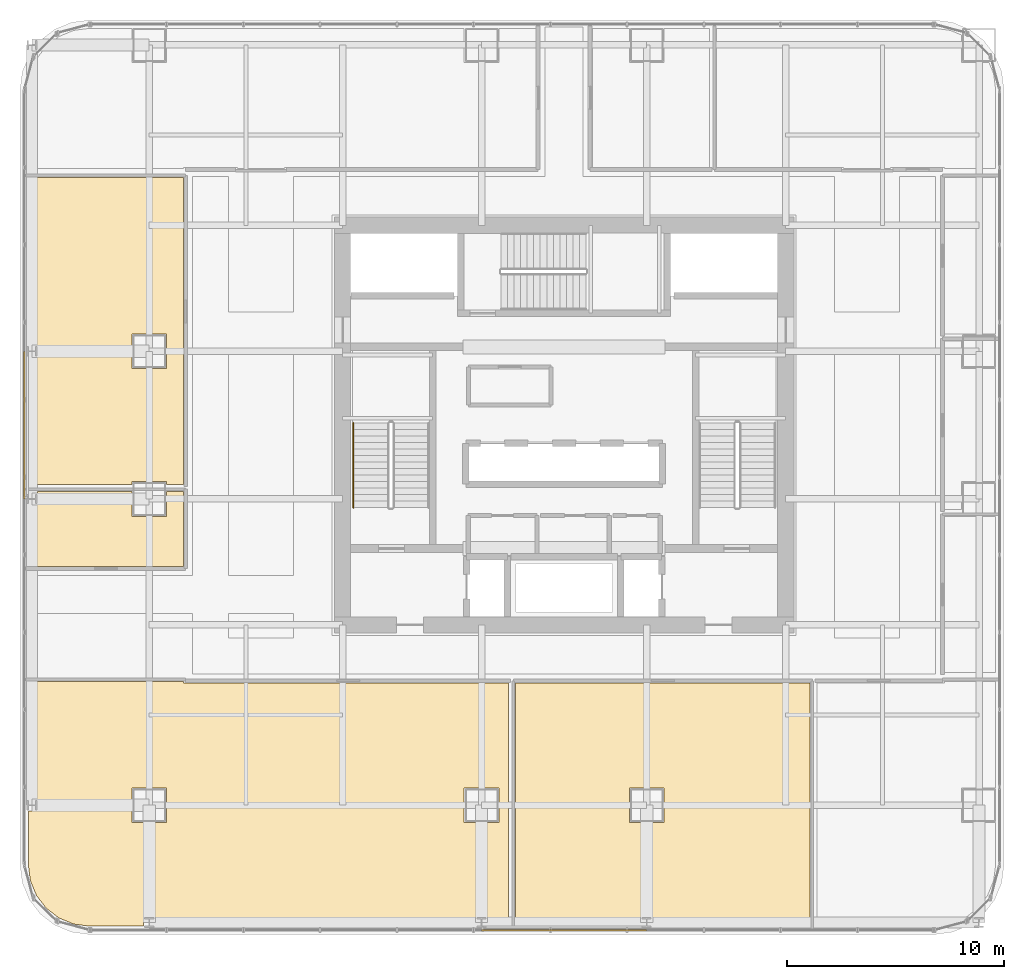
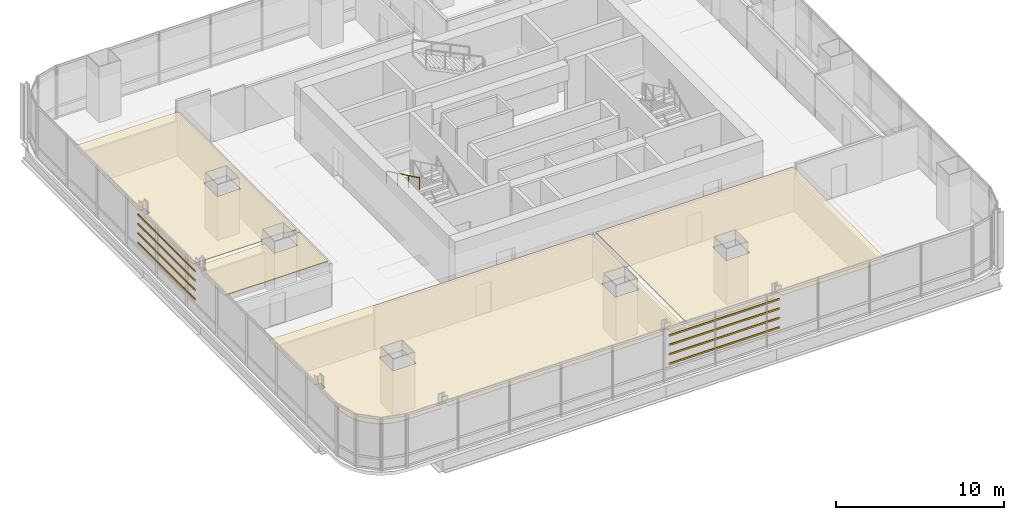
# One storey, part 32 of 36: 8 shading devices, 4 coverings, 1 railing.
"""IFC4 building model written with IfcOpenShell, lengths in metres."""

from ifc_helpers import new_model, si_unit, direction, frame, origin, origin_2d, place, context, subcontext, project, spatial, polyline, hollow_rectangle, circle, outline, extrude, material, layer, layer_set, material_profile, profile_set, type_object, element, save


model = new_model("IFC4")

# Units and contexts
model_context = context("Model", 3, precision=1e-05, world=origin(), true_north=direction((0.0, 1.0)))
body_context = subcontext(model_context, "Body", "Model", "MODEL_VIEW")
ifc_project = project(units=[si_unit("LENGTHUNIT", "METRE"), si_unit("AREAUNIT", "SQUARE_METRE"), si_unit("VOLUMEUNIT", "CUBIC_METRE"), si_unit("PLANEANGLEUNIT", "RADIAN"), si_unit("MASSUNIT", "GRAM", prefix="KILO")], contexts=[model_context])

# Site, building, storey
site_placement = place(None, origin())
site = spatial("IfcSite", under=ifc_project, at=site_placement, CompositionType="ELEMENT")
building_placement = place(site_placement, origin())
building = spatial("IfcBuilding", under=site, at=building_placement, Name="Punatoya Terracotta Tower", CompositionType="ELEMENT")
storey_placement = place(building_placement, frame((0.0, 0.0, 40.35009765625)))
storey = spatial("IfcBuildingStorey", under=building, at=storey_placement, Name="L08", CompositionType="ELEMENT", Elevation=40.35009765625)

# Coverings
ifc_material_1 = material(Name="Acoustic Mineral Fibre Ceiling")
ifc_layer = layer(ifc_material_1, 0.06005859375)
ifc_layer_set = layer_set([ifc_layer], Name="Acoustic Mineral Fibre Ceiling")
covering_type = type_object("IfcCoveringType", Name="COV-CEIL-60", PredefinedType="CEILING", material=ifc_layer_set)
covering_1_placement = place(storey_placement, frame((0.0, 0.0, 3.199951171875)))
element("IfcCovering", 1, at=covering_1_placement, inside=storey, type_object=covering_type, Name="L08 Open Workplace Studio Acoustic Ceiling", PredefinedType="CEILING", context=body_context, shape_type="SweptSolid", body=[
    extrude(outline(polyline([(3.5419921875, -22.626953125), (4.05810546875, -22.626953125), (4.05810546875, -23.070068359375), (11.330078125, -23.070068359375), (11.330078125, -11.8701171875), (-2.239990234375, -11.8701171875), (-2.239990234375, -23.070068359375), (3.5419921875, -23.070068359375), (3.5419921875, -22.626953125)]), holes=[polyline([(4.60009765625, -16.699951171875), (4.60009765625, -18.300048828125), (3.0, -18.300048828125), (3.0, -16.699951171875), (4.60009765625, -16.699951171875)])]), origin(), (0.0, 0.0, 1.0), 0.06005859375),
])
covering_2_placement = place(storey_placement, frame((0.0, 0.0, 3.199951171875)))
element("IfcCovering", 2, at=covering_2_placement, inside=storey, type_object=covering_type, Name="L08 Analytical Practice Office Acoustic Ceiling", PredefinedType="CEILING", context=body_context, shape_type="SweptSolid", body=[
    extrude(outline(polyline([(-18.842041015625, -23.070068359375), (-4.05810546875, -23.070068359375), (-4.05810546875, -22.626953125), (-3.5419921875, -22.626953125), (-3.5419921875, -23.070068359375), (-2.56005859375, -23.070068359375), (-2.56005859375, -11.8701171875), (-17.52001953125, -11.8701171875), (-17.52001953125, -11.81005859375), (-24.669921875, -11.81005859375), (-24.669921875, -17.22705078125), (-24.241943359375, -17.22705078125), (-24.241943359375, -17.77294921875), (-24.669921875, -17.77294921875), (-24.669921875, -20.22509765625), (-24.57080078125, -20.97900390625), (-24.289306640625, -21.658203125), (-23.841796875, -22.24169921875), (-23.25830078125, -22.689453125), (-22.5791015625, -22.970703125), (-21.8251953125, -23.070068359375), (-19.35791015625, -23.070068359375), (-19.35791015625, -22.626953125), (-18.842041015625, -22.626953125), (-18.842041015625, -23.070068359375)]), holes=[polyline([(-4.60009765625, -16.699951171875), (-3.0, -16.699951171875), (-3.0, -18.300048828125), (-4.60009765625, -18.300048828125), (-4.60009765625, -16.699951171875)]), polyline([(-19.89990234375, -18.300048828125), (-19.89990234375, -16.699951171875), (-18.300048828125, -16.699951171875), (-18.300048828125, -18.300048828125), (-19.89990234375, -18.300048828125)])]), origin(), (0.0, 0.0, 1.0), 0.06005859375),
])
covering_3_placement = place(storey_placement, frame((0.0, 0.0, 3.199951171875)))
element("IfcCovering", 3, at=covering_3_placement, inside=storey, type_object=covering_type, Name="L08 Open-Plan Digital Reference Library Acoustic Ceiling", PredefinedType="CEILING", context=body_context, shape_type="SweptSolid", body=[
    extrude(outline(polyline([(-24.241943359375, -3.048095703125), (-24.241943359375, -3.673095703125), (-24.669921875, -3.673095703125), (-24.669921875, -6.5), (-17.52001953125, -6.5), (-17.52001953125, -3.048095703125), (-18.300048828125, -3.048095703125), (-18.300048828125, -4.199951171875), (-19.89990234375, -4.199951171875), (-19.89990234375, -3.048095703125), (-24.241943359375, -3.048095703125)])), origin(), (0.0, 0.0, 1.0), 0.06005859375),
])
covering_4_placement = place(storey_placement, frame((0.0, 0.0, 3.199951171875)))
element("IfcCovering", 4, at=covering_4_placement, inside=storey, type_object=covering_type, Name="L08 Open-Plan Wellness Quiet Room Acoustic Ceiling", PredefinedType="CEILING", context=body_context, shape_type="SweptSolid", body=[
    extrude(outline(polyline([(-17.52001953125, -2.72802734375), (-17.52001953125, 11.389892578125), (-24.669921875, 11.389892578125), (-24.669921875, 3.673095703125), (-24.241943359375, 3.673095703125), (-24.241943359375, 3.126953125), (-24.669921875, 3.126953125), (-24.669921875, -2.72802734375), (-19.89990234375, -2.72802734375), (-19.89990234375, -2.60009765625), (-18.300048828125, -2.60009765625), (-18.300048828125, -2.72802734375), (-17.52001953125, -2.72802734375)]), holes=[polyline([(-18.300048828125, 4.199951171875), (-18.300048828125, 2.60009765625), (-19.89990234375, 2.60009765625), (-19.89990234375, 4.199951171875), (-18.300048828125, 4.199951171875)])]), origin(), (0.0, 0.0, 1.0), 0.06005859375),
])

# Railing
ifc_material_2 = material(Name="Steel S355", Category="steel")
railing_type = type_object("IfcRailingType", Name="RLG-HND-900", PredefinedType="HANDRAIL", material=ifc_material_2)
railing_placement = place(storey_placement, frame((-9.699951171875, 0.10009765625, 2.16943359375)))
element("IfcRailing", 5, at=railing_placement, inside=storey, type_object=railing_type, Name="L08 ST-1 stair handrail 2", PredefinedType="HANDRAIL", context=body_context, shape_type="SweptSolid", body=[
    extrude(circle(Radius=0.02392578125, at=origin_2d()), frame((0.0, 0.0, 0.8759765625), z_axis=(0.0, -0.900773802044, 0.434288564841), x_axis=(1.0, 0.0, 0.0)), (0.0, 0.0, 1.0), 4.329833984375),
    extrude(circle(Radius=0.02099609375, at=origin_2d()), origin(), (0.0, 0.0, 1.0), 0.851806640625),
    extrude(circle(Radius=0.02099609375, at=origin_2d()), frame((0.0, -1.300048828125, 0.626708984375)), (0.0, 0.0, 1.0), 0.851806640625),
    extrude(circle(Radius=0.02099609375, at=origin_2d()), frame((0.0, -2.60009765625, 1.253662109375)), (0.0, 0.0, 1.0), 0.851806640625),
    extrude(circle(Radius=0.02099609375, at=origin_2d()), frame((0.0, -3.900146484375, 1.88037109375)), (0.0, 0.0, 1.0), 0.851806640625),
])

# Shading devices
ifc_material_3 = material(Name="Architectural Fired Terracotta", Category="masonry")
ifc_material_profile = material_profile(ifc_material_3, hollow_rectangle(XDim=0.06494140625, YDim=0.1201171875, WallThickness=0.014892578125, at=origin_2d()))
ifc_profile_set = profile_set([ifc_material_profile], Name="Architectural Fired Terracotta")
shading_device_type = type_object("IfcShadingDeviceType", Name="SHD-BAG-120", PredefinedType="USERDEFINED", material=ifc_profile_set)
for number, where, z_axis, x_axis, name in (
    (6, (-3.800048828125, -23.262939453125, 1.14990234375), (1.0, 0.0, 0.0), (0.0, 1.0, 0.0), "L08 Fired Terracotta Baguette Louvre BAG-L08-S-01"),
    (7, (-3.800048828125, -23.262939453125, 1.836669921875), (1.0, 0.0, 0.0), (0.0, 1.0, 0.0), "L08 Fired Terracotta Baguette Louvre BAG-L08-S-02"),
    (8, (-3.800048828125, -23.262939453125, 2.523193359375), (1.0, 0.0, 0.0), (0.0, 1.0, 0.0), "L08 Fired Terracotta Baguette Louvre BAG-L08-S-03"),
    (9, (-3.800048828125, -23.262939453125, 3.2099609375), (1.0, 0.0, 0.0), (0.0, 1.0, 0.0), "L08 Fired Terracotta Baguette Louvre BAG-L08-S-04"),
):
    element("IfcShadingDevice", number, at=place(storey_placement, frame(where, z_axis=z_axis, x_axis=x_axis)), inside=storey, type_object=shading_device_type, Name=name, ObjectType="BAGUETTE", PredefinedType="USERDEFINED", context=body_context, shape_type="SweptSolid", body=[
        extrude(hollow_rectangle(XDim=0.06494140625, YDim=0.1201171875, WallThickness=0.014892578125, at=origin_2d()), origin(), (0.0, 0.0, 1.0), 7.60009765625),
    ])
for number, where, z_axis, x_axis, name in (
    (10, (-24.863037109375, -3.39990234375, 1.14990234375), (0.0, 1.0, 0.0), (-1.0, 0.0, 0.0), "L08 Fired Terracotta Baguette Louvre BAG-L08-W-01"),
    (11, (-24.863037109375, -3.39990234375, 1.836669921875), (0.0, 1.0, 0.0), (-1.0, 0.0, 0.0), "L08 Fired Terracotta Baguette Louvre BAG-L08-W-02"),
    (12, (-24.863037109375, -3.39990234375, 2.523193359375), (0.0, 1.0, 0.0), (-1.0, 0.0, 0.0), "L08 Fired Terracotta Baguette Louvre BAG-L08-W-03"),
    (13, (-24.863037109375, -3.39990234375, 3.2099609375), (0.0, 1.0, 0.0), (-1.0, 0.0, 0.0), "L08 Fired Terracotta Baguette Louvre BAG-L08-W-04"),
):
    element("IfcShadingDevice", number, at=place(storey_placement, frame(where, z_axis=z_axis, x_axis=x_axis)), inside=storey, type_object=shading_device_type, Name=name, ObjectType="BAGUETTE", PredefinedType="USERDEFINED", context=body_context, shape_type="SweptSolid", body=[
        extrude(hollow_rectangle(XDim=0.06494140625, YDim=0.1201171875, WallThickness=0.014892578125, at=origin_2d()), origin(), (0.0, 0.0, 1.0), 6.7998046875),
    ])

save(model, "model.ifc")
